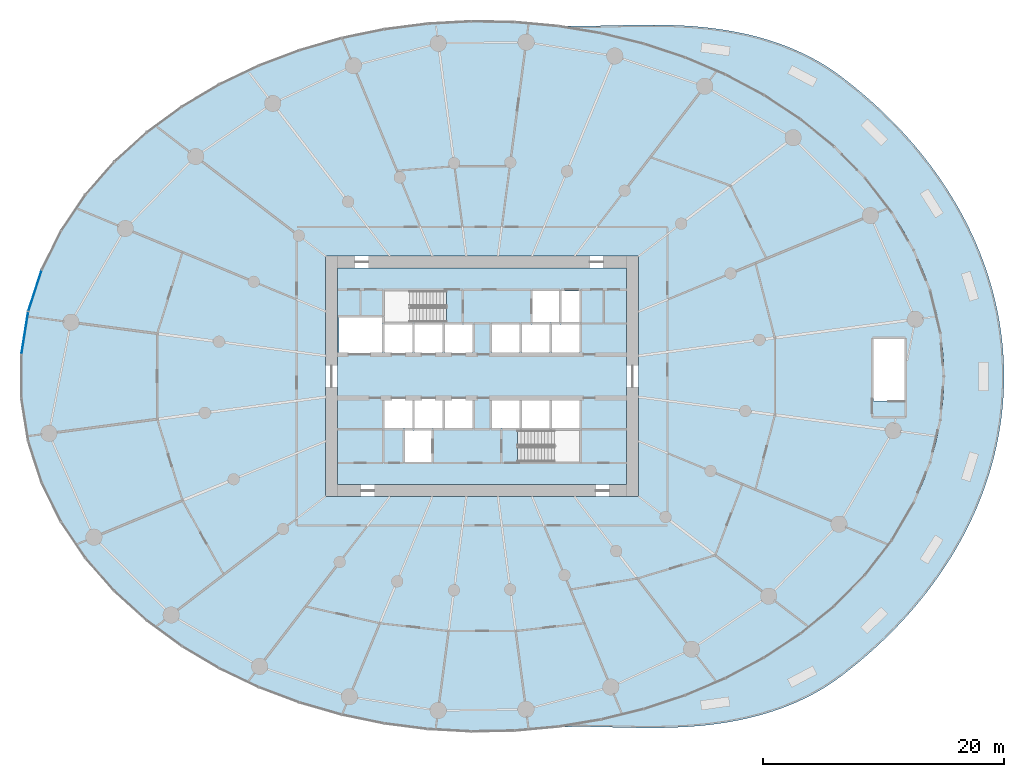
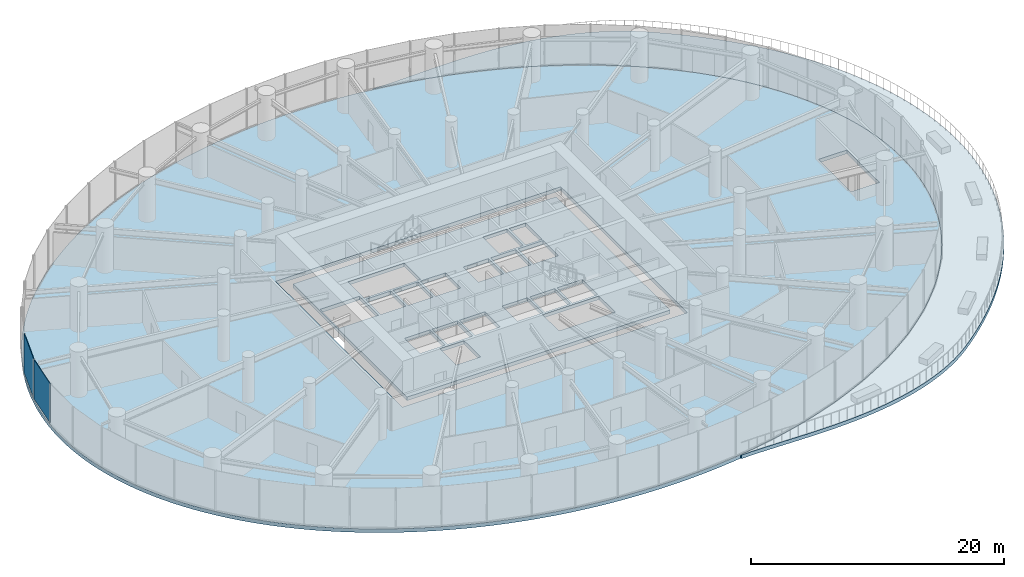
# One storey, part 9 of 21: 3 slabs, 2 plates, 1 element without a shape of its own.
"""IFC4 building model written with IfcOpenShell, lengths in metres."""

from ifc_helpers import new_model, si_unit, direction, frame, origin, origin_2d, place, context, subcontext, project, spatial, line, indexed_curve, rectangle, outline, extrude, source, transform, mapped, material, layer, layer_set, type_object, element, aggregate, save


model = new_model("IFC4")

# Units and contexts
model_context = context("Model", 3, precision=1e-05, world=origin(), true_north=direction((0.0, 1.0)))
body_context = subcontext(model_context, "Body", "Model", "MODEL_VIEW")
ifc_project = project(units=[si_unit("LENGTHUNIT", "METRE"), si_unit("AREAUNIT", "SQUARE_METRE"), si_unit("VOLUMEUNIT", "CUBIC_METRE"), si_unit("PLANEANGLEUNIT", "RADIAN"), si_unit("MASSUNIT", "GRAM", prefix="KILO")], contexts=[model_context])

# Site, building, storey
site_placement = place(None, origin())
site = spatial("IfcSite", under=ifc_project, at=site_placement, CompositionType="ELEMENT")
building_placement = place(site_placement, origin())
building = spatial("IfcBuilding", under=site, at=building_placement, Name="Spindrift Exchange Tower", CompositionType="ELEMENT")
storey_placement = place(building_placement, frame((0.0, 0.0, 18.199951171875)))
storey = spatial("IfcBuildingStorey", under=building, at=storey_placement, Name="L04", CompositionType="ELEMENT", Elevation=18.199951171875)

# Slabs
ifc_material_1 = material(Name="Concrete 50 MPa", Category="concrete")
ifc_layer_1 = layer(ifc_material_1, 0.35009765625)
ifc_layer_set_1 = layer_set([ifc_layer_1], Name="RC Floor Slab 350 Concrete 50 MPa")
slab_type_1 = type_object("IfcSlabType", Name="RC Floor Slab 350 Concrete 50 MPa", PredefinedType="FLOOR", material=ifc_layer_set_1)
slab_1_placement = place(storey_placement, frame((0.0, 0.0, -0.349853515625)))
element("IfcSlab", 1, at=slab_1_placement, inside=storey, type_object=slab_type_1, Name="Floor slab L04", PredefinedType="FLOOR", context=body_context, shape_type="SweptSolid", body=[
    extrude(outline(indexed_curve([(90.35009765625, 48.0), (90.34228515625, 48.594482421875), (90.31884765625, 49.188720703125), (90.280029296875, 49.781982421875), (90.2255859375, 50.374267578125), (90.15576171875, 50.964599609375), (90.07080078125, 51.55322265625), (89.970703125, 52.139404296875), (89.85546875, 52.72265625), (89.725341796875, 53.302734375), (89.58056640625, 53.87939453125), (89.42138671875, 54.452392578125), (89.248046875, 55.021240234375), (89.060546875, 55.58544921875), (88.859375, 56.14501953125), (88.64453125, 56.699462890625), (88.41650390625, 57.24853515625), (88.175537109375, 57.792236328125), (87.921875, 58.330078125), (87.65576171875, 58.86181640625), (87.377685546875, 59.38720703125), (87.087646484375, 59.906494140625), (86.7861328125, 60.4189453125), (86.473388671875, 60.924560546875), (86.149658203125, 61.42333984375), (85.8154296875, 61.915283203125), (85.470703125, 62.399658203125), (85.1162109375, 62.876953125), (84.751708984375, 63.346923828125), (84.3779296875, 63.809326171875), (83.9951171875, 64.26416015625), (83.60302734375, 64.71142578125), (83.20263671875, 65.15087890625), (82.793701171875, 65.582763671875), (82.376953125, 66.006591796875), (81.9521484375, 66.4228515625), (81.52001953125, 66.8310546875), (81.080322265625, 67.231689453125), (80.6337890625, 67.6240234375), (80.180419921875, 68.0087890625), (79.72021484375, 68.385498046875), (79.25390625, 68.75439453125), (78.78125, 69.115234375), (77.818603515625, 69.813232421875), (77.32861328125, 70.150390625), (76.333251953125, 70.801025390625), (75.318115234375, 71.42041015625), (74.803466796875, 71.71826171875), (74.284423828125, 72.00830078125), (73.23388671875, 72.5654296875), (72.702392578125, 72.83251953125), (71.62841796875, 73.343017578125), (71.086181640625, 73.587158203125), (69.99169921875, 74.052001953125), (68.884765625, 74.48681640625), (68.3271484375, 74.693115234375), (67.20361328125, 75.082763671875), (66.637939453125, 75.2666015625), (65.5, 75.61181640625), (64.927734375, 75.773193359375), (64.353515625, 75.927490234375), (63.19921875, 76.214111328125), (62.038330078125, 76.471435546875), (61.45556640625, 76.58935546875), (60.28564453125, 76.80322265625), (59.698974609375, 76.8994140625), (58.52197265625, 77.0703125), (57.93212890625, 77.14501953125), (56.749755859375, 77.27294921875), (56.157470703125, 77.326171875), (55.564697265625, 77.372314453125), (54.377685546875, 77.443359375), (53.189208984375, 77.48583984375), (52.0, 77.5), (50.810791015625, 77.48583984375), (49.622314453125, 77.443359375), (48.435302734375, 77.372314453125), (47.842529296875, 77.326171875), (47.250244140625, 77.27294921875), (46.06787109375, 77.14501953125), (45.47802734375, 77.0703125), (44.301025390625, 76.8994140625), (43.71435546875, 76.80322265625), (42.54443359375, 76.58935546875), (41.961669921875, 76.471435546875), (40.80078125, 76.214111328125), (39.646484375, 75.927490234375), (39.072265625, 75.773193359375), (38.5, 75.61181640625), (37.362060546875, 75.2666015625), (36.79638671875, 75.082763671875), (35.6728515625, 74.693115234375), (35.115234375, 74.48681640625), (34.00830078125, 74.052001953125), (32.913818359375, 73.587158203125), (32.37158203125, 73.343017578125), (31.297607421875, 72.83251953125), (30.76611328125, 72.5654296875), (29.715576171875, 72.00830078125), (29.196533203125, 71.71826171875), (28.681884765625, 71.42041015625), (27.666748046875, 70.801025390625), (26.67138671875, 70.150390625), (26.181396484375, 69.813232421875), (25.21875, 69.115234375), (24.74609375, 68.75439453125), (24.27978515625, 68.385498046875), (23.819580078125, 68.0087890625), (23.3662109375, 67.6240234375), (22.919677734375, 67.231689453125), (22.47998046875, 66.8310546875), (22.0478515625, 66.4228515625), (21.623046875, 66.006591796875), (21.206298828125, 65.582763671875), (20.79736328125, 65.15087890625), (20.39697265625, 64.71142578125), (20.0048828125, 64.26416015625), (19.6220703125, 63.809326171875), (19.248291015625, 63.346923828125), (18.8837890625, 62.876953125), (18.529296875, 62.399658203125), (18.1845703125, 61.915283203125), (17.850341796875, 61.42333984375), (17.526611328125, 60.924560546875), (17.2138671875, 60.4189453125), (16.912353515625, 59.906494140625), (16.622314453125, 59.38720703125), (16.34423828125, 58.86181640625), (16.078125, 58.330078125), (15.824462890625, 57.792236328125), (15.58349609375, 57.24853515625), (15.35546875, 56.699462890625), (15.140625, 56.14501953125), (14.939453125, 55.58544921875), (14.751953125, 55.021240234375), (14.57861328125, 54.452392578125), (14.41943359375, 53.87939453125), (14.274658203125, 53.302734375), (14.14453125, 52.72265625), (14.029296875, 52.139404296875), (13.92919921875, 51.55322265625), (13.84423828125, 50.964599609375), (13.7744140625, 50.374267578125), (13.719970703125, 49.781982421875), (13.68115234375, 49.188720703125), (13.65771484375, 48.594482421875), (13.64990234375, 48.0), (13.65771484375, 47.405517578125), (13.68115234375, 46.811279296875), (13.719970703125, 46.218017578125), (13.7744140625, 45.625732421875), (13.84423828125, 45.035400390625), (13.92919921875, 44.44677734375), (14.029296875, 43.860595703125), (14.14453125, 43.27734375), (14.274658203125, 42.697265625), (14.41943359375, 42.12060546875), (14.57861328125, 41.547607421875), (14.751953125, 40.978759765625), (14.939453125, 40.41455078125), (15.140625, 39.85498046875), (15.35546875, 39.300537109375), (15.58349609375, 38.75146484375), (15.824462890625, 38.207763671875), (16.078125, 37.669921875), (16.34423828125, 37.13818359375), (16.622314453125, 36.61279296875), (16.912353515625, 36.093505859375), (17.2138671875, 35.5810546875), (17.526611328125, 35.075439453125), (17.850341796875, 34.57666015625), (18.1845703125, 34.084716796875), (18.529296875, 33.600341796875), (18.8837890625, 33.123046875), (19.248291015625, 32.653076171875), (19.6220703125, 32.190673828125), (20.0048828125, 31.73583984375), (20.39697265625, 31.28857421875), (20.79736328125, 30.84912109375), (21.206298828125, 30.417236328125), (21.623046875, 29.993408203125), (22.0478515625, 29.5771484375), (22.47998046875, 29.1689453125), (22.919677734375, 28.768310546875), (23.3662109375, 28.3759765625), (23.819580078125, 27.9912109375), (24.27978515625, 27.614501953125), (24.74609375, 27.24560546875), (25.21875, 26.884765625), (26.181396484375, 26.186767578125), (26.67138671875, 25.849609375), (27.666748046875, 25.198974609375), (28.681884765625, 24.57958984375), (29.196533203125, 24.28173828125), (29.715576171875, 23.99169921875), (30.76611328125, 23.4345703125), (31.297607421875, 23.16748046875), (32.37158203125, 22.656982421875), (32.913818359375, 22.412841796875), (34.00830078125, 21.947998046875), (35.115234375, 21.51318359375), (35.6728515625, 21.306884765625), (36.79638671875, 20.917236328125), (37.362060546875, 20.7333984375), (38.5, 20.38818359375), (39.072265625, 20.226806640625), (39.646484375, 20.072509765625), (40.80078125, 19.785888671875), (41.961669921875, 19.528564453125), (42.54443359375, 19.41064453125), (43.71435546875, 19.19677734375), (44.301025390625, 19.1005859375), (45.47802734375, 18.9296875), (46.06787109375, 18.85498046875), (47.250244140625, 18.72705078125), (47.842529296875, 18.673828125), (48.435302734375, 18.627685546875), (49.622314453125, 18.556640625), (50.810791015625, 18.51416015625), (52.0, 18.5), (53.189208984375, 18.51416015625), (54.377685546875, 18.556640625), (55.564697265625, 18.627685546875), (56.157470703125, 18.673828125), (56.749755859375, 18.72705078125), (57.93212890625, 18.85498046875), (58.52197265625, 18.9296875), (59.698974609375, 19.1005859375), (60.28564453125, 19.19677734375), (61.45556640625, 19.41064453125), (62.038330078125, 19.528564453125), (63.19921875, 19.785888671875), (64.353515625, 20.072509765625), (64.927734375, 20.226806640625), (65.5, 20.38818359375), (66.637939453125, 20.7333984375), (67.20361328125, 20.917236328125), (68.3271484375, 21.306884765625), (68.884765625, 21.51318359375), (69.99169921875, 21.947998046875), (71.086181640625, 22.412841796875), (71.62841796875, 22.656982421875), (72.702392578125, 23.16748046875), (73.23388671875, 23.4345703125), (74.284423828125, 23.99169921875), (74.803466796875, 24.28173828125), (75.318115234375, 24.57958984375), (76.333251953125, 25.198974609375), (77.32861328125, 25.849609375), (77.818603515625, 26.186767578125), (78.78125, 26.884765625), (79.25390625, 27.24560546875), (79.72021484375, 27.614501953125), (80.180419921875, 27.9912109375), (80.6337890625, 28.3759765625), (81.080322265625, 28.768310546875), (81.52001953125, 29.1689453125), (81.9521484375, 29.5771484375), (82.376953125, 29.993408203125), (82.793701171875, 30.417236328125), (83.20263671875, 30.84912109375), (83.60302734375, 31.28857421875), (83.9951171875, 31.73583984375), (84.3779296875, 32.190673828125), (84.751708984375, 32.653076171875), (85.1162109375, 33.123046875), (85.470703125, 33.600341796875), (85.8154296875, 34.084716796875), (86.149658203125, 34.57666015625), (86.473388671875, 35.075439453125), (86.7861328125, 35.5810546875), (87.087646484375, 36.093505859375), (87.377685546875, 36.61279296875), (87.65576171875, 37.13818359375), (87.921875, 37.669921875), (88.175537109375, 38.207763671875), (88.41650390625, 38.75146484375), (88.64453125, 39.300537109375), (88.859375, 39.85498046875), (89.060546875, 40.41455078125), (89.248046875, 40.978759765625), (89.42138671875, 41.547607421875), (89.58056640625, 42.12060546875), (89.725341796875, 42.697265625), (89.85546875, 43.27734375), (89.970703125, 43.860595703125), (90.07080078125, 44.44677734375), (90.15576171875, 45.035400390625), (90.2255859375, 45.625732421875), (90.280029296875, 46.218017578125), (90.31884765625, 46.811279296875), (90.34228515625, 47.405517578125)], segments=[line(1, 2, 3, 4, 5, 6, 7, 8, 9, 10, 11, 12, 13, 14, 15, 16, 17, 18, 19, 20, 21, 22, 23, 24, 25, 26, 27, 28, 29, 30, 31, 32, 33, 34, 35, 36, 37, 38, 39, 40, 41, 42, 43, 44, 45, 46, 47, 48, 49, 50, 51, 52, 53, 54, 55, 56, 57, 58, 59, 60, 61, 62, 63, 64, 65, 66, 67, 68, 69, 70, 71, 72, 73, 74, 75, 76, 77, 78, 79, 80, 81, 82, 83, 84, 85, 86, 87, 88, 89, 90, 91, 92, 93, 94, 95, 96, 97, 98, 99, 100, 101, 102, 103, 104, 105, 106, 107, 108, 109, 110, 111, 112, 113, 114, 115, 116, 117, 118, 119, 120, 121, 122, 123, 124, 125, 126, 127, 128, 129, 130, 131, 132, 133, 134, 135, 136, 137, 138, 139, 140, 141, 142, 143, 144, 145, 146, 147, 148, 149, 150, 151, 152, 153, 154, 155, 156, 157, 158, 159, 160, 161, 162, 163, 164, 165, 166, 167, 168, 169, 170, 171, 172, 173, 174, 175, 176, 177, 178, 179, 180, 181, 182, 183, 184, 185, 186, 187, 188, 189, 190, 191, 192, 193, 194, 195, 196, 197, 198, 199, 200, 201, 202, 203, 204, 205, 206, 207, 208, 209, 210, 211, 212, 213, 214, 215, 216, 217, 218, 219, 220, 221, 222, 223, 224, 225, 226, 227, 228, 229, 230, 231, 232, 233, 234, 235, 236, 237, 238, 239, 240, 241, 242, 243, 244, 245, 246, 247, 248, 249, 250, 251, 252, 253, 254, 255, 256, 257, 258, 259, 260, 261, 262, 263, 264, 265, 266, 267, 268, 269, 270, 271, 272, 273, 274, 275, 276, 277, 278, 279, 280, 281, 282, 283, 284, 285, 286, 287, 288, 289, 290, 291, 292, 1)], self_intersect=False), holes=[indexed_curve([(39.0, 38.0), (65.0, 38.0), (65.0, 58.0), (39.0, 58.0)], segments=[line(1, 2, 3, 4, 1)], self_intersect=False), indexed_curve([(87.093994140625, 45.9560546875), (84.506103515625, 45.9560546875), (84.506103515625, 51.093994140625), (87.093994140625, 51.093994140625)], segments=[line(1, 2, 3, 4, 1)], self_intersect=False)]), origin(), (0.0, 0.0, 1.0), 0.349853515625),
])
ifc_material_2 = material(Name="Concrete 40 MPa", Category="concrete")
ifc_layer_2 = layer(ifc_material_2, 0.35009765625)
ifc_layer_set_2 = layer_set([ifc_layer_2], Name="RC Terrace Slab 350 Concrete 40 MPa")
slab_type_2 = type_object("IfcSlabType", Name="RC Terrace Slab 350 Concrete 40 MPa", PredefinedType="FLOOR", material=ifc_layer_set_2)
slab_2_placement = place(storey_placement, frame((0.0, 0.0, -0.349853515625)))
element("IfcSlab", 2, at=slab_2_placement, inside=storey, type_object=slab_type_2, Name="Podium terrace L03", PredefinedType="FLOOR", context=body_context, shape_type="SweptSolid", body=[
    extrude(outline(indexed_curve([(58.891845703125, 77.018798828125), (58.862060546875, 77.034423828125), (58.8486328125, 77.070068359375), (58.861083984375, 77.101318359375), (58.895263671875, 77.118408203125), (59.797607421875, 77.10009765625), (60.89794921875, 77.1044921875), (64.99853515625, 77.195556640625), (66.242431640625, 77.201904296875), (66.876220703125, 77.19580078125), (68.163330078125, 77.15869140625), (68.816162109375, 77.125732421875), (69.474365234375, 77.08154296875), (70.137451171875, 77.02490234375), (70.80419921875, 76.955078125), (71.474365234375, 76.87109375), (72.145751953125, 76.772216796875), (72.82080078125, 76.656494140625), (73.4951171875, 76.524169921875), (74.168701171875, 76.373779296875), (74.83935546875, 76.205322265625), (75.50830078125, 76.017333984375), (76.17333984375, 75.809326171875), (76.832763671875, 75.580810546875), (77.485595703125, 75.3310546875), (78.130126953125, 75.059814453125), (78.766845703125, 74.765625), (79.389404296875, 74.45068359375), (80.0009765625, 74.112548828125), (80.59814453125, 73.751220703125), (81.179931640625, 73.3671875), (81.74462890625, 72.959716796875), (82.29833984375, 72.53466796875), (82.84619140625, 72.09912109375), (83.388671875, 71.652587890625), (83.9248046875, 71.1953125), (84.45556640625, 70.72607421875), (84.980224609375, 70.244873046875), (85.49658203125, 69.75341796875), (86.007080078125, 69.24951171875), (86.5087890625, 68.734375), (87.002197265625, 68.2080078125), (87.48681640625, 67.670166015625), (87.962158203125, 67.120849609375), (88.427490234375, 66.560302734375), (88.882568359375, 65.98828125), (89.325927734375, 65.406005859375), (89.75927734375, 64.810791015625), (90.179931640625, 64.205810546875), (90.587890625, 63.58984375), (90.98291015625, 62.96337890625), (91.364013671875, 62.326904296875), (91.731201171875, 61.679931640625), (92.083251953125, 61.023193359375), (92.419677734375, 60.358154296875), (92.7412109375, 59.681640625), (93.045654296875, 58.99755859375), (93.333251953125, 58.304931640625), (93.60302734375, 57.60546875), (93.855224609375, 56.897216796875), (94.089111328125, 56.181884765625), (94.30419921875, 55.4599609375), (94.500732421875, 54.730712890625), (94.677001953125, 53.9970703125), (94.83349609375, 53.258544921875), (94.969482421875, 52.51708984375), (95.085205078125, 51.770263671875), (95.18017578125, 51.020263671875), (95.25439453125, 50.26611328125), (95.3076171875, 49.51171875), (95.33935546875, 48.755859375), (95.35009765625, 48.000732421875), (95.33935546875, 47.244140625), (95.3076171875, 46.48828125), (95.25439453125, 45.73388671875), (95.180419921875, 44.981201171875), (95.085205078125, 44.229736328125), (94.969482421875, 43.48291015625), (94.833251953125, 42.739990234375), (94.677001953125, 42.0029296875), (94.500732421875, 41.269287109375), (94.3046875, 40.541259765625), (94.089599609375, 39.819091796875), (93.855224609375, 39.102783203125), (93.60302734375, 38.39453125), (93.332763671875, 37.69384765625), (93.045654296875, 37.00244140625), (92.7412109375, 36.318359375), (92.420166015625, 35.64306640625), (92.082763671875, 34.9755859375), (91.731201171875, 34.320068359375), (91.364013671875, 33.673095703125), (90.98291015625, 33.03662109375), (90.587890625, 32.41015625), (90.179931640625, 31.794189453125), (89.75927734375, 31.189208984375), (89.32666015625, 30.5947265625), (88.882080078125, 30.010986328125), (88.427490234375, 29.439697265625), (87.962158203125, 28.879150390625), (87.48681640625, 28.329833984375), (87.001708984375, 27.791259765625), (86.5087890625, 27.265625), (86.00634765625, 26.75), (85.49658203125, 26.24658203125), (84.980224609375, 25.755126953125), (84.4560546875, 25.2744140625), (83.925537109375, 24.805419921875), (83.38818359375, 24.3466796875), (82.845703125, 23.900146484375), (82.29833984375, 23.46533203125), (81.745849609375, 23.041259765625), (81.179931640625, 22.6328125), (80.59814453125, 22.248779296875), (80.00244140625, 21.888427734375), (79.389404296875, 21.54931640625), (78.76513671875, 21.233642578125), (78.130126953125, 20.940185546875), (77.487060546875, 20.669677734375), (76.834228515625, 20.419921875), (76.1748046875, 20.191162109375), (75.50830078125, 19.982666015625), (74.83935546875, 19.794677734375), (74.16748046875, 19.6259765625), (73.493896484375, 19.4755859375), (72.82080078125, 19.343505859375), (72.14697265625, 19.22802734375), (71.474365234375, 19.12890625), (70.80322265625, 19.044677734375), (70.136474609375, 18.974853515625), (69.474365234375, 18.91845703125), (68.816162109375, 18.874267578125), (67.515869140625, 18.818115234375), (66.875732421875, 18.80419921875), (65.61669921875, 18.798583984375), (64.388427734375, 18.814697265625), (60.8984375, 18.8955078125), (59.797607421875, 18.89990234375), (58.895263671875, 18.881591796875), (58.861083984375, 18.898681640625), (58.8486328125, 18.929931640625), (58.85888671875, 18.9619140625), (58.886962890625, 18.980224609375), (59.698974609375, 19.1005859375), (60.871337890625, 19.300048828125), (62.03857421875, 19.528564453125), (63.19921875, 19.785888671875), (64.353271484375, 20.072509765625), (64.927978515625, 20.226806640625), (65.500244140625, 20.38818359375), (66.6376953125, 20.7333984375), (67.20361328125, 20.917236328125), (68.327392578125, 21.30712890625), (68.885009765625, 21.51318359375), (69.991943359375, 21.947998046875), (71.0859375, 22.412841796875), (71.628662109375, 22.656982421875), (72.7021484375, 23.16748046875), (73.233642578125, 23.4345703125), (74.2841796875, 23.991455078125), (74.8037109375, 24.28173828125), (75.318359375, 24.57958984375), (76.33349609375, 25.198974609375), (77.32861328125, 25.849609375), (77.818603515625, 26.18701171875), (78.781005859375, 26.884765625), (79.253662109375, 27.24560546875), (79.72021484375, 27.614501953125), (80.18017578125, 27.9912109375), (80.634033203125, 28.3759765625), (81.08056640625, 28.7685546875), (81.519775390625, 29.168701171875), (81.951904296875, 29.576904296875), (82.376708984375, 29.9931640625), (82.793701171875, 30.4169921875), (83.202392578125, 30.848876953125), (83.602783203125, 31.288330078125), (83.994873046875, 31.735595703125), (84.377685546875, 32.1904296875), (84.751708984375, 32.65283203125), (85.116455078125, 33.123291015625), (85.470703125, 33.60009765625), (85.815185546875, 34.084716796875), (86.1494140625, 34.576416015625), (86.473388671875, 35.0751953125), (86.785888671875, 35.580810546875), (87.087646484375, 36.093505859375), (87.377685546875, 36.612548828125), (87.65576171875, 37.137939453125), (87.921875, 37.669677734375), (88.175537109375, 38.20751953125), (88.41650390625, 38.751220703125), (88.64453125, 39.30078125), (88.859375, 39.855224609375), (89.060546875, 40.414794921875), (89.247802734375, 40.978515625), (89.42138671875, 41.54736328125), (89.58056640625, 42.1201171875), (89.72509765625, 42.697021484375), (89.855224609375, 43.277099609375), (89.970458984375, 43.8603515625), (90.07080078125, 44.446533203125), (90.15576171875, 45.03564453125), (90.2255859375, 45.626220703125), (90.280029296875, 46.21826171875), (90.31884765625, 46.8115234375), (90.34228515625, 47.40576171875), (90.35009765625, 47.999755859375), (90.34228515625, 48.59423828125), (90.31884765625, 49.18896484375), (90.280029296875, 49.7822265625), (90.2255859375, 50.37451171875), (90.15576171875, 50.96435546875), (90.07080078125, 51.552978515625), (89.970703125, 52.138916015625), (89.855224609375, 52.722900390625), (89.72509765625, 53.302978515625), (89.58056640625, 53.8798828125), (89.42138671875, 54.45263671875), (89.247802734375, 55.021484375), (89.060302734375, 55.585693359375), (88.859130859375, 56.145263671875), (88.64453125, 56.69921875), (88.41650390625, 57.248291015625), (88.175537109375, 57.79248046875), (87.921875, 58.330322265625), (87.656005859375, 58.861572265625), (87.377685546875, 59.386962890625), (87.087890625, 59.90625), (86.7861328125, 60.418701171875), (86.473388671875, 60.92431640625), (86.14990234375, 61.423095703125), (85.8154296875, 61.9150390625), (85.470947265625, 62.3994140625), (85.116455078125, 62.876708984375), (84.751953125, 63.3466796875), (84.378173828125, 63.80908203125), (83.9951171875, 64.263916015625), (83.603271484375, 64.711181640625), (83.202880859375, 65.150634765625), (82.7939453125, 65.58251953125), (82.377197265625, 66.006591796875), (81.952392578125, 66.422607421875), (81.520263671875, 66.830810546875), (81.08056640625, 67.2314453125), (80.634033203125, 67.6240234375), (80.180419921875, 68.0087890625), (79.720458984375, 68.385498046875), (78.781005859375, 69.115234375), (77.818603515625, 69.81298828125), (76.83349609375, 70.479736328125), (75.827880859375, 71.11474609375), (75.31787109375, 71.42041015625), (74.28466796875, 72.00830078125), (73.23388671875, 72.565185546875), (72.1669921875, 73.091796875), (71.0859375, 73.587158203125), (70.540283203125, 73.823486328125), (69.43994140625, 74.273193359375), (68.327392578125, 74.69287109375), (67.203369140625, 75.0830078125), (66.6376953125, 75.2666015625), (65.500244140625, 75.61181640625), (64.353271484375, 75.927490234375), (63.19921875, 76.214111328125), (62.03857421875, 76.471435546875), (61.455810546875, 76.58935546875), (60.285400390625, 76.80322265625), (59.69873046875, 76.8994140625)], segments=[line(1, 2, 3, 4, 5, 6, 7, 8, 9, 10, 11, 12, 13, 14, 15, 16, 17, 18, 19, 20, 21, 22, 23, 24, 25, 26, 27, 28, 29, 30, 31, 32, 33, 34, 35, 36, 37, 38, 39, 40, 41, 42, 43, 44, 45, 46, 47, 48, 49, 50, 51, 52, 53, 54, 55, 56, 57, 58, 59, 60, 61, 62, 63, 64, 65, 66, 67, 68, 69, 70, 71, 72, 73, 74, 75, 76, 77, 78, 79, 80, 81, 82, 83, 84, 85, 86, 87, 88, 89, 90, 91, 92, 93, 94, 95, 96, 97, 98, 99, 100, 101, 102, 103, 104, 105, 106, 107, 108, 109, 110, 111, 112, 113, 114, 115, 116, 117, 118, 119, 120, 121, 122, 123, 124, 125, 126, 127, 128, 129, 130, 131, 132, 133, 134, 135, 136, 137, 138, 139, 140, 141, 142, 143, 144, 145, 146, 147, 148, 149, 150, 151, 152, 153, 154, 155, 156, 157, 158, 159, 160, 161, 162, 163, 164, 165, 166, 167, 168, 169, 170, 171, 172, 173, 174, 175, 176, 177, 178, 179, 180, 181, 182, 183, 184, 185, 186, 187, 188, 189, 190, 191, 192, 193, 194, 195, 196, 197, 198, 199, 200, 201, 202, 203, 204, 205, 206, 207, 208, 209, 210, 211, 212, 213, 214, 215, 216, 217, 218, 219, 220, 221, 222, 223, 224, 225, 226, 227, 228, 229, 230, 231, 232, 233, 234, 235, 236, 237, 238, 239, 240, 241, 242, 243, 244, 245, 246, 247, 248, 249, 250, 251, 252, 253, 254, 255, 256, 257, 258, 259, 260, 261, 262, 263, 264, 265, 266, 267, 268, 269, 1)], self_intersect=False)), origin(), (0.0, 0.0, 1.0), 0.349853515625),
])
ifc_layer_3 = layer(ifc_material_1, 0.35009765625)
ifc_layer_set_3 = layer_set([ifc_layer_3], Name="SL-CORE-FLOOR-350")
slab_type_3 = type_object("IfcSlabType", Name="SL-CORE-FLOOR-350", PredefinedType="FLOOR", material=ifc_layer_set_3)
slab_3_placement = place(storey_placement, frame((0.0, 0.0, -0.349853515625)))
element("IfcSlab", 3, at=slab_3_placement, inside=storey, type_object=slab_type_3, Name="L04 Core floor slab", PredefinedType="FLOOR", context=body_context, shape_type="SweptSolid", body=[
    extrude(outline(indexed_curve([(40.0, 39.0), (40.0, 57.0), (64.0, 57.0), (64.0, 39.0)], segments=[line(1, 2, 3, 4, 1)], self_intersect=False), holes=[indexed_curve([(47.800048828125, 43.5), (45.60009765625, 43.5), (45.60009765625, 40.89990234375), (47.800048828125, 40.89990234375)], segments=[line(1, 2, 3, 4, 1)], self_intersect=False), indexed_curve([(46.199951171875, 46.10009765625), (43.89990234375, 46.10009765625), (43.89990234375, 43.699951171875), (46.199951171875, 43.699951171875)], segments=[line(1, 2, 3, 4, 1)], self_intersect=False), indexed_curve([(48.699951171875, 46.10009765625), (46.39990234375, 46.10009765625), (46.39990234375, 43.699951171875), (48.699951171875, 43.699951171875)], segments=[line(1, 2, 3, 4, 1)], self_intersect=False), indexed_curve([(51.199951171875, 46.10009765625), (48.89990234375, 46.10009765625), (48.89990234375, 43.699951171875), (51.199951171875, 43.699951171875)], segments=[line(1, 2, 3, 4, 1)], self_intersect=False), indexed_curve([(46.199951171875, 52.300048828125), (43.89990234375, 52.300048828125), (43.89990234375, 49.89990234375), (46.199951171875, 49.89990234375)], segments=[line(1, 2, 3, 4, 1)], self_intersect=False), indexed_curve([(48.699951171875, 52.300048828125), (46.39990234375, 52.300048828125), (46.39990234375, 49.89990234375), (48.699951171875, 49.89990234375)], segments=[line(1, 2, 3, 4, 1)], self_intersect=False), indexed_curve([(51.199951171875, 52.300048828125), (48.89990234375, 52.300048828125), (48.89990234375, 49.89990234375), (51.199951171875, 49.89990234375)], segments=[line(1, 2, 3, 4, 1)], self_intersect=False), indexed_curve([(55.10009765625, 49.89990234375), (55.10009765625, 52.300048828125), (52.800048828125, 52.300048828125), (52.800048828125, 49.89990234375)], segments=[line(1, 2, 3, 4, 1)], self_intersect=False), indexed_curve([(43.699951171875, 49.89990234375), (43.699951171875, 52.89990234375), (40.10009765625, 52.89990234375), (40.10009765625, 49.89990234375)], segments=[line(1, 2, 3, 4, 1)], self_intersect=False), indexed_curve([(43.906005859375, 55.093994140625), (43.906005859375, 52.506103515625), (49.0439453125, 52.506103515625), (49.0439453125, 55.093994140625)], segments=[line(1, 2, 3, 4, 1)], self_intersect=False), indexed_curve([(60.093994140625, 40.906005859375), (60.093994140625, 43.493896484375), (54.9560546875, 43.493896484375), (54.9560546875, 40.906005859375)], segments=[line(1, 2, 3, 4, 1)], self_intersect=False), indexed_curve([(55.10009765625, 46.10009765625), (52.800048828125, 46.10009765625), (52.800048828125, 43.699951171875), (55.10009765625, 43.699951171875)], segments=[line(1, 2, 3, 4, 1)], self_intersect=False), indexed_curve([(57.60009765625, 43.699951171875), (57.60009765625, 46.10009765625), (55.300048828125, 46.10009765625), (55.300048828125, 43.699951171875)], segments=[line(1, 2, 3, 4, 1)], self_intersect=False), indexed_curve([(60.10009765625, 43.699951171875), (60.10009765625, 46.10009765625), (57.800048828125, 46.10009765625), (57.800048828125, 43.699951171875)], segments=[line(1, 2, 3, 4, 1)], self_intersect=False), indexed_curve([(57.60009765625, 52.300048828125), (55.300048828125, 52.300048828125), (55.300048828125, 49.89990234375), (57.60009765625, 49.89990234375)], segments=[line(1, 2, 3, 4, 1)], self_intersect=False), indexed_curve([(60.10009765625, 52.300048828125), (57.800048828125, 52.300048828125), (57.800048828125, 49.89990234375), (60.10009765625, 49.89990234375)], segments=[line(1, 2, 3, 4, 1)], self_intersect=False), indexed_curve([(58.39990234375, 52.5), (58.39990234375, 55.10009765625), (56.199951171875, 55.10009765625), (56.199951171875, 52.5)], segments=[line(1, 2, 3, 4, 1)], self_intersect=False), indexed_curve([(60.10009765625, 52.5), (60.10009765625, 55.10009765625), (58.60009765625, 55.10009765625), (58.60009765625, 52.5)], segments=[line(1, 2, 3, 4, 1)], self_intersect=False)]), origin(), (0.0, 0.0, 1.0), 0.349853515625),
])

# Curtain wall, plates
ifc_material_3 = material(Name="Fritted laminated glass with bronze frame", Category="glass")
ifc_layer_4 = layer(ifc_material_3, 0.219970703125)
ifc_layer_set_4 = layer_set([ifc_layer_4], Name="PODIUM BRONZE GLAZED WALL")
curtain_wall_type = type_object("IfcCurtainWallType", Name="PODIUM BRONZE GLAZED WALL", PredefinedType="NOTDEFINED", material=ifc_layer_set_4)
curtain_wall_placement = place(storey_placement, origin())
curtain_wall = element("IfcCurtainWall", 4, at=curtain_wall_placement, inside=storey, type_object=curtain_wall_type, Name="L04 Podium Bronze Glazed Wall run 5", PredefinedType="NOTDEFINED")
ifc_material_4 = material(Name="Bronze tinted laminated glass, light frit", Category="glass")
ifc_layer_5 = layer(ifc_material_4, 0.0400390625)
ifc_layer_set_5 = layer_set([ifc_layer_5], Name="PODIUM BRONZE GLAZED WALL PANEL LIGHT FRIT 720")
plate_type_1 = type_object("IfcPlateType", Name="PODIUM BRONZE GLAZED WALL PANEL LIGHT FRIT 720", PredefinedType="CURTAIN_PANEL", material=ifc_layer_set_5)
shared_shape_1 = source(origin(), body_context, "Body", "SweptSolid", [
    extrude(rectangle(XDim=3.534912109375, YDim=0.0400390625, at=origin_2d()), origin(), (0.0, 0.0, 1.0), 3.7900390625),
])
plate_1_placement = place(storey_placement, frame((14.85400390625, 55.115234375, 0.159912109375), z_axis=(0.0, 0.0, 1.0), x_axis=(-0.307989331953, -0.951389810437, 0.0)))
plate_1 = element("IfcPlate", 5, at=plate_1_placement, type_object=plate_type_1, Name="L04 panel CW-P.28", PredefinedType="CURTAIN_PANEL", context=body_context, shape_type="MappedRepresentation", body=[
    mapped(shared_shape_1, transform((0.0, 0.0, 0.0), scale=1.0)),
])
ifc_layer_6 = layer(ifc_material_4, 0.0400390625)
ifc_layer_set_6 = layer_set([ifc_layer_6], Name="PODIUM BRONZE GLAZED WALL PANEL LIGHT FRIT 960")
plate_type_2 = type_object("IfcPlateType", Name="PODIUM BRONZE GLAZED WALL PANEL LIGHT FRIT 960", PredefinedType="CURTAIN_PANEL", material=ifc_layer_set_6)
shared_shape_2 = source(origin(), body_context, "Body", "SweptSolid", [
    extrude(rectangle(XDim=3.534423828125, YDim=0.0400390625, at=origin_2d()), origin(), (0.0, 0.0, 1.0), 3.7900390625),
])
plate_2_placement = place(storey_placement, frame((14.009033203125, 51.6015625, 0.159912109375), z_axis=(0.0, 0.0, 1.0), x_axis=(-0.158202874509, -0.987406628749, 0.0)))
plate_2 = element("IfcPlate", 6, at=plate_2_placement, type_object=plate_type_2, Name="L04 panel CW-P.29", PredefinedType="CURTAIN_PANEL", context=body_context, shape_type="MappedRepresentation", body=[
    mapped(shared_shape_2, transform((0.0, 0.0, 0.0), scale=1.0)),
])
aggregate(curtain_wall, [plate_1, plate_2])

save(model, "model.ifc")
